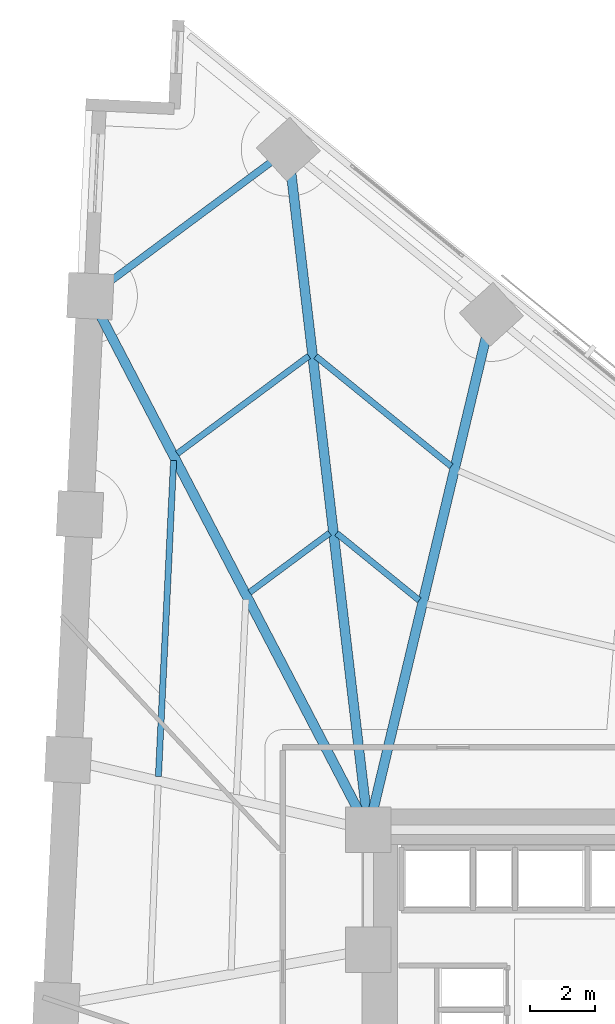
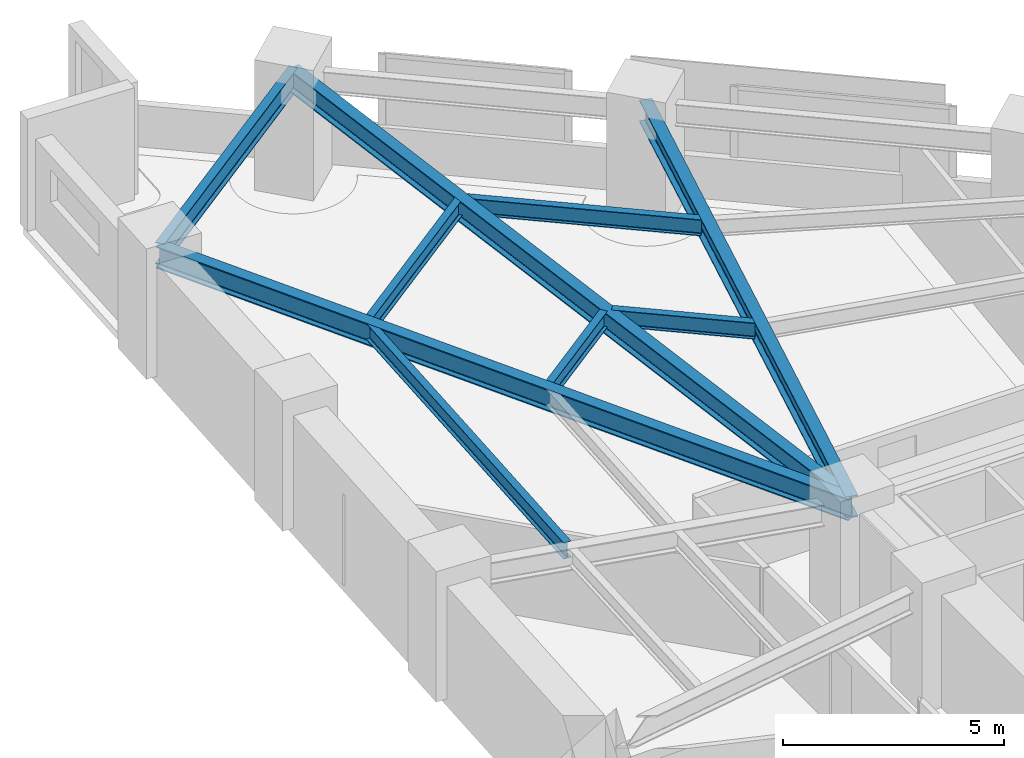
# One storey, part 8 of 17: 9 beams.
"""IFC4 building model written with IfcOpenShell, lengths in metres."""

from ifc_helpers import new_model, si_unit, direction, frame, origin, origin_2d, place, context, subcontext, project, spatial, i_section, extrude, material, material_profile, profile_set, type_object, element, save


model = new_model("IFC4")

# Units and contexts
model_context = context("Model", 3, precision=1e-05, world=origin(), true_north=direction((0.0, 1.0)))
body_context = subcontext(model_context, "Body", "Model", "MODEL_VIEW")
ifc_project = project(units=[si_unit("LENGTHUNIT", "METRE"), si_unit("AREAUNIT", "SQUARE_METRE"), si_unit("VOLUMEUNIT", "CUBIC_METRE"), si_unit("PLANEANGLEUNIT", "RADIAN"), si_unit("MASSUNIT", "GRAM", prefix="KILO")], contexts=[model_context])

# Site, building, storey
site_placement = place(None, origin())
site = spatial("IfcSite", under=ifc_project, at=site_placement, CompositionType="ELEMENT")
building_placement = place(site_placement, origin())
building = spatial("IfcBuilding", under=site, at=building_placement, Name="Narakoshi Arena Tower", CompositionType="ELEMENT")
storey_placement = place(building_placement, frame((0.0, 0.0, 55.5)))
storey = spatial("IfcBuildingStorey", under=building, at=storey_placement, Name="L14", CompositionType="ELEMENT", Elevation=55.5)

# Beams
ifc_material = material(Name="Structural steel S355J2", Category="steel")
ifc_material_profile_1 = material_profile(ifc_material, i_section(OverallWidth=0.219970703125, OverallDepth=0.60009765625, WebThickness=0.011962890625, FlangeThickness=0.01904296875, FilletRadius=0.02392578125, at=origin_2d()), Name="IPE600")
ifc_profile_set_1 = profile_set([ifc_material_profile_1], Name="Structural steel S355J2")
beam_type_1 = type_object("IfcBeamType", Name="BM-EDGE-600", PredefinedType="BEAM", material=ifc_profile_set_1)
beam_1_placement = place(storey_placement, frame((69.531005859375, 77.483154296875, 2.800048828125), z_axis=(-0.80317737809, -0.595739959482, 0.0), x_axis=(0.595739959482, -0.80317737809, 0.0)))
element("IfcBeam", 1, at=beam_1_placement, inside=storey, type_object=beam_type_1, Name="L14 Perimeter Edge Girder 12", PredefinedType="BEAM", context=body_context, shape_type="SweptSolid", body=[
    extrude(i_section(OverallWidth=0.219970703125, OverallDepth=0.60009765625, WebThickness=0.011962890625, FlangeThickness=0.01904296875, FilletRadius=0.02392578125, at=origin_2d()), origin(), (0.0, 0.0, 1.0), 7.598388671875),
])
ifc_material_profile_2 = material_profile(ifc_material, i_section(OverallWidth=0.300048828125, OverallDepth=0.60009765625, WebThickness=0.015380859375, FlangeThickness=0.030029296875, FilletRadius=0.027099609375, at=origin_2d()), Name="HE600B")
ifc_profile_set_2 = profile_set([ifc_material_profile_2], Name="Structural steel S355J2")
beam_type_2 = type_object("IfcBeamType", Name="BM-PRI-600", PredefinedType="BEAM", material=ifc_profile_set_2)
beam_2_placement = place(storey_placement, frame((72.0, 56.5, 2.800048828125), z_axis=(0.23221708245, 0.972663984436, 0.0), x_axis=(-0.972663984436, 0.23221708245, 0.0)))
element("IfcBeam", 2, at=beam_2_placement, inside=storey, type_object=beam_type_2, Name="L14 Radial Primary Floor Girder 11", PredefinedType="BEAM", context=body_context, shape_type="SweptSolid", body=[
    extrude(i_section(OverallWidth=0.300048828125, OverallDepth=0.60009765625, WebThickness=0.015380859375, FlangeThickness=0.030029296875, FilletRadius=0.027099609375, at=origin_2d()), origin(), (0.0, 0.0, 1.0), 16.3388671875),
])
beam_3_placement = place(storey_placement, frame((72.0, 56.5, 2.800048828125), z_axis=(-0.11685934963, 0.993148474501, 0.0), x_axis=(-0.993148474501, -0.11685934963, 0.0)))
element("IfcBeam", 3, at=beam_3_placement, inside=storey, type_object=beam_type_2, Name="L14 Radial Primary Floor Girder 12", PredefinedType="BEAM", context=body_context, shape_type="SweptSolid", body=[
    extrude(i_section(OverallWidth=0.300048828125, OverallDepth=0.60009765625, WebThickness=0.015380859375, FlangeThickness=0.030029296875, FilletRadius=0.027099609375, at=origin_2d()), origin(), (0.0, 0.0, 1.0), 21.1279296875),
])
beam_4_placement = place(storey_placement, frame((72.0, 56.5, 2.800048828125), z_axis=(-0.461962449766, 0.886899484162, 0.0), x_axis=(-0.886899484162, -0.461962449766, 0.0)))
element("IfcBeam", 4, at=beam_4_placement, inside=storey, type_object=beam_type_2, Name="L14 Radial Primary Floor Girder 13", PredefinedType="BEAM", context=body_context, shape_type="SweptSolid", body=[
    extrude(i_section(OverallWidth=0.300048828125, OverallDepth=0.60009765625, WebThickness=0.015380859375, FlangeThickness=0.030029296875, FilletRadius=0.027099609375, at=origin_2d()), origin(), (0.0, 0.0, 1.0), 18.55517578125),
])
ifc_material_profile_3 = material_profile(ifc_material, i_section(OverallWidth=0.18994140625, OverallDepth=0.449951171875, WebThickness=0.009521484375, FlangeThickness=0.0146484375, FilletRadius=0.02099609375, at=origin_2d()), Name="IPE450")
ifc_profile_set_3 = profile_set([ifc_material_profile_3], Name="Structural steel S355J2")
beam_type_3 = type_object("IfcBeamType", Name="BM-SEC-450", PredefinedType="JOIST", material=ifc_profile_set_3)
beam_5_placement = place(storey_placement, frame((73.564697265625, 63.577880859375, 2.875), z_axis=(-0.77601840583, 0.630710261383, 0.0), x_axis=(-0.630710261383, -0.77601840583, 0.0)))
element("IfcBeam", 5, at=beam_5_placement, inside=storey, type_object=beam_type_3, Name="L14 Composite Secondary Floor Joist 15", PredefinedType="JOIST", context=body_context, shape_type="SweptSolid", body=[
    extrude(i_section(OverallWidth=0.18994140625, OverallDepth=0.449951171875, WebThickness=0.009521484375, FlangeThickness=0.0146484375, FilletRadius=0.02099609375, at=origin_2d()), origin(), (0.0, 0.0, 1.0), 3.28125),
])
beam_6_placement = place(storey_placement, frame((74.55126953125, 67.709716796875, 2.875), z_axis=(-0.775997387035, 0.630736121778, 0.0), x_axis=(-0.630736121778, -0.775997387035, 0.0)))
element("IfcBeam", 6, at=beam_6_placement, inside=storey, type_object=beam_type_3, Name="L14 Composite Secondary Floor Joist 16", PredefinedType="JOIST", context=body_context, shape_type="SweptSolid", body=[
    extrude(i_section(OverallWidth=0.18994140625, OverallDepth=0.449951171875, WebThickness=0.009521484375, FlangeThickness=0.0146484375, FilletRadius=0.02099609375, at=origin_2d()), origin(), (0.0, 0.0, 1.0), 5.3798828125),
])
beam_7_placement = place(storey_placement, frame((70.80517578125, 65.652099609375, 2.875), z_axis=(-0.803172826668, -0.595746095666, 0.0), x_axis=(0.595746095666, -0.803172826668, 0.0)))
element("IfcBeam", 7, at=beam_7_placement, inside=storey, type_object=beam_type_3, Name="L14 Composite Secondary Floor Joist 17", PredefinedType="JOIST", context=body_context, shape_type="SweptSolid", body=[
    extrude(i_section(OverallWidth=0.18994140625, OverallDepth=0.449951171875, WebThickness=0.009521484375, FlangeThickness=0.0146484375, FilletRadius=0.02099609375, at=origin_2d()), origin(), (0.0, 0.0, 1.0), 3.0732421875),
])
beam_8_placement = place(storey_placement, frame((70.163330078125, 71.10791015625, 2.875), z_axis=(-0.803180127116, -0.595736253225, 0.0), x_axis=(0.595736253225, -0.803180127116, 0.0)))
element("IfcBeam", 8, at=beam_8_placement, inside=storey, type_object=beam_type_3, Name="L14 Composite Secondary Floor Joist 18", PredefinedType="JOIST", context=body_context, shape_type="SweptSolid", body=[
    extrude(i_section(OverallWidth=0.18994140625, OverallDepth=0.449951171875, WebThickness=0.009521484375, FlangeThickness=0.0146484375, FilletRadius=0.02099609375, at=origin_2d()), origin(), (0.0, 0.0, 1.0), 5.048828125),
])
beam_9_placement = place(storey_placement, frame((65.993408203125, 67.884765625, 2.875), z_axis=(-0.047976776959, -0.998848451404, 0.0), x_axis=(0.998848451404, -0.047976776959, 0.0)))
element("IfcBeam", 9, at=beam_9_placement, inside=storey, type_object=beam_type_3, Name="L14 Composite Secondary Floor Joist 20", PredefinedType="JOIST", context=body_context, shape_type="SweptSolid", body=[
    extrude(i_section(OverallWidth=0.18994140625, OverallDepth=0.449951171875, WebThickness=0.009521484375, FlangeThickness=0.0146484375, FilletRadius=0.02099609375, at=origin_2d()), origin(), (0.0, 0.0, 1.0), 9.75),
])

save(model, "model.ifc")
